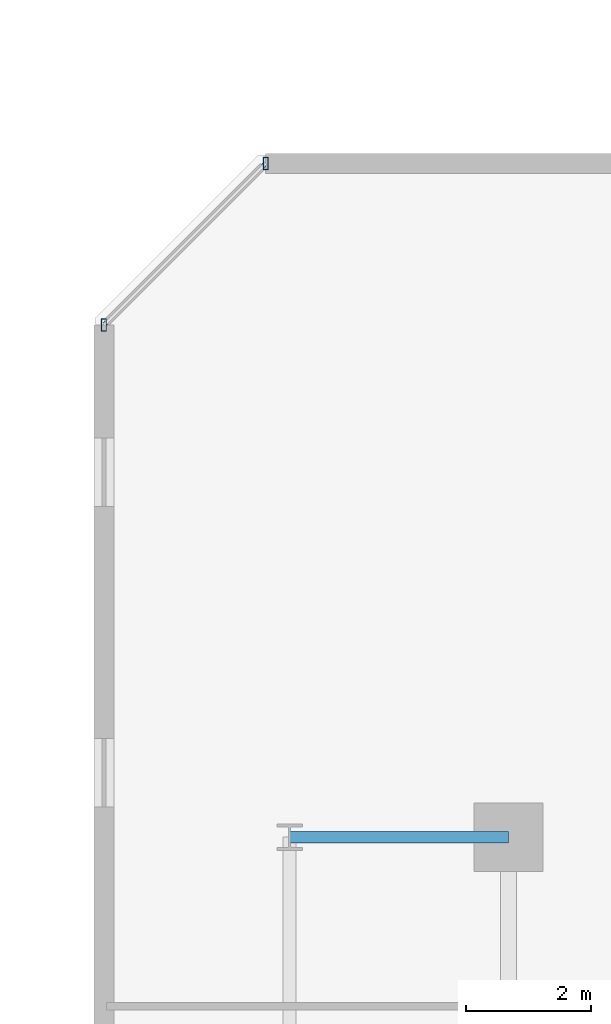
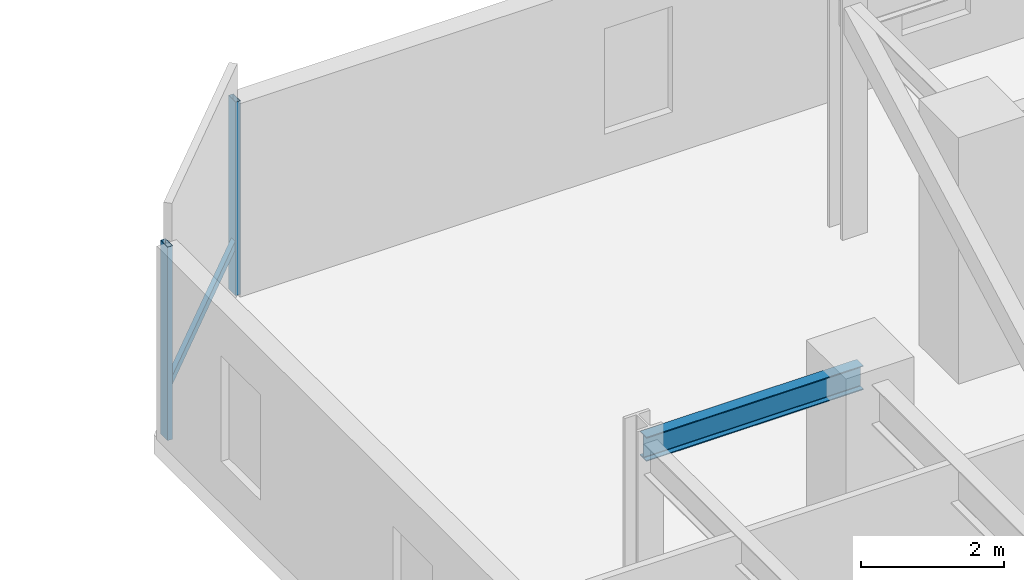
# One storey, part 11 of 33: 3 members, 1 beam, 1 element without a shape of its own.
"""IFC4 building model written with IfcOpenShell, lengths in metres."""

from ifc_helpers import new_model, si_unit, direction, frame, origin, origin_2d, place, context, subcontext, project, spatial, hollow_rectangle, i_section, extrude, material, material_profile, profile_set, type_object, element, aggregate, save


model = new_model("IFC4")

# Units and contexts
model_context = context("Model", 3, precision=1e-05, world=origin(), true_north=direction((0.0, 1.0)))
body_context = subcontext(model_context, "Body", "Model", "MODEL_VIEW")
ifc_project = project(units=[si_unit("LENGTHUNIT", "METRE"), si_unit("AREAUNIT", "SQUARE_METRE"), si_unit("VOLUMEUNIT", "CUBIC_METRE"), si_unit("PLANEANGLEUNIT", "RADIAN"), si_unit("MASSUNIT", "GRAM", prefix="KILO")], contexts=[model_context])

# Site, building, storey
site_placement = place(None, origin())
site = spatial("IfcSite", under=ifc_project, at=site_placement, CompositionType="ELEMENT")
building_placement = place(site_placement, origin())
building = spatial("IfcBuilding", under=site, at=building_placement, Name="Thornwick Lancets Civic Towers", CompositionType="ELEMENT")
storey_placement = place(building_placement, frame((0.0, 0.0, 174.300048828125)))
storey = spatial("IfcBuildingStorey", under=building, at=storey_placement, Name="L46", CompositionType="ELEMENT", Elevation=174.300048828125)

# Beam
ifc_material_1 = material(Name="Steel S355JR", Category="steel")
ifc_material_profile_1 = material_profile(ifc_material_1, i_section(OverallWidth=0.179443359375, OverallDepth=0.412841796875, WebThickness=0.009521484375, FlangeThickness=0.01611328125, FilletRadius=0.01025390625, at=origin_2d()), Name="UKB 406x178x74")
ifc_profile_set_1 = profile_set([ifc_material_profile_1], Name="Steel S355JR")
beam_type = type_object("IfcBeamType", Name="BM_JOIST_406_74", PredefinedType="JOIST", material=ifc_profile_set_1)
beam_placement = place(storey_placement, frame((71.199951171875, 40.0, 3.753662109375), z_axis=(-1.0, 0.0, 0.0), x_axis=(0.0, -1.0, 0.0)))
element("IfcBeam", 1, at=beam_placement, inside=storey, type_object=beam_type, Name="BM-RAD-L46-B09", PredefinedType="JOIST", context=body_context, shape_type="SweptSolid", body=[
    extrude(i_section(OverallWidth=0.179443359375, OverallDepth=0.412841796875, WebThickness=0.009521484375, FlangeThickness=0.01611328125, FilletRadius=0.01025390625, at=origin_2d()), origin(), (0.0, 0.0, 1.0), 3.5),
])

# Curtain wall, members
ifc_material_2 = material(Name="Mid-zone chamfered-corner unitised glass curtain wall", Category="glass")
curtain_wall_type = type_object("IfcCurtainWallType", Name="CW_SYS_04", PredefinedType="NOTDEFINED", material=ifc_material_2)
curtain_wall_placement = place(storey_placement, origin())
curtain_wall = element("IfcCurtainWall", 2, at=curtain_wall_placement, inside=storey, type_object=curtain_wall_type, Name="L46 Curtain Wall CW-L46-B-E5", PredefinedType="NOTDEFINED")
ifc_material_3 = material(Name="Thermally broken bronze aluminium S355", Category="steel")
ifc_material_profile_2 = material_profile(ifc_material_3, hollow_rectangle(XDim=0.080078125, YDim=0.199951171875, WallThickness=0.006103515625, at=origin_2d()), Name="RHS 200x80x6")
ifc_profile_set_2 = profile_set([ifc_material_profile_2], Name="Thermally broken bronze aluminium S355")
member_type_1 = type_object("IfcMemberType", Name="CW_MUL_200", PredefinedType="MULLION", material=ifc_profile_set_2)
member_1_placement = place(storey_placement, frame((67.318603515625, 50.7646484375, 0.0), z_axis=(0.0, 0.0, 1.0), x_axis=(1.0, 0.0, 0.0)))
member_1 = element("IfcMember", 3, at=member_1_placement, type_object=member_type_1, Name="CW-L46-B-E5 Mullion 0", PredefinedType="MULLION", context=body_context, shape_type="SweptSolid", body=[
    extrude(hollow_rectangle(XDim=0.080078125, YDim=0.199951171875, WallThickness=0.006103515625, at=origin_2d()), origin(), (0.0, 0.0, 1.0), 3.300048828125),
])
member_2_placement = place(storey_placement, frame((64.7353515625, 48.181396484375, 0.0), z_axis=(0.0, 0.0, 1.0), x_axis=(1.0, 0.0, 0.0)))
member_2 = element("IfcMember", 4, at=member_2_placement, type_object=member_type_1, Name="CW-L46-B-E5 Mullion 1", PredefinedType="MULLION", context=body_context, shape_type="SweptSolid", body=[
    extrude(hollow_rectangle(XDim=0.080078125, YDim=0.199951171875, WallThickness=0.006103515625, at=origin_2d()), origin(), (0.0, 0.0, 1.0), 3.300048828125),
])
ifc_material_profile_3 = material_profile(ifc_material_3, hollow_rectangle(XDim=0.074951171875, YDim=0.14990234375, WallThickness=0.0048828125, at=origin_2d()), Name="RHS 150x75x5")
ifc_profile_set_3 = profile_set([ifc_material_profile_3], Name="Thermally broken bronze aluminium S355")
member_type_2 = type_object("IfcMemberType", Name="CW_TRN_150", PredefinedType="USERDEFINED", material=ifc_profile_set_3)
member_3_placement = place(storey_placement, frame((67.304443359375, 50.75048828125, 0.849853515625), z_axis=(-0.707106781187, -0.707106781187, 0.0), x_axis=(0.707106781187, -0.707106781187, 0.0)))
member_3 = element("IfcMember", 5, at=member_3_placement, type_object=member_type_2, Name="CW-L46-B-E5 Transom 0", ObjectType="TRANSOM", PredefinedType="USERDEFINED", context=body_context, shape_type="SweptSolid", body=[
    extrude(hollow_rectangle(XDim=0.074951171875, YDim=0.14990234375, WallThickness=0.0048828125, at=origin_2d()), origin(), (0.0, 0.0, 1.0), 3.61328125),
])
aggregate(curtain_wall, [member_1, member_2, member_3])

save(model, "model.ifc")
